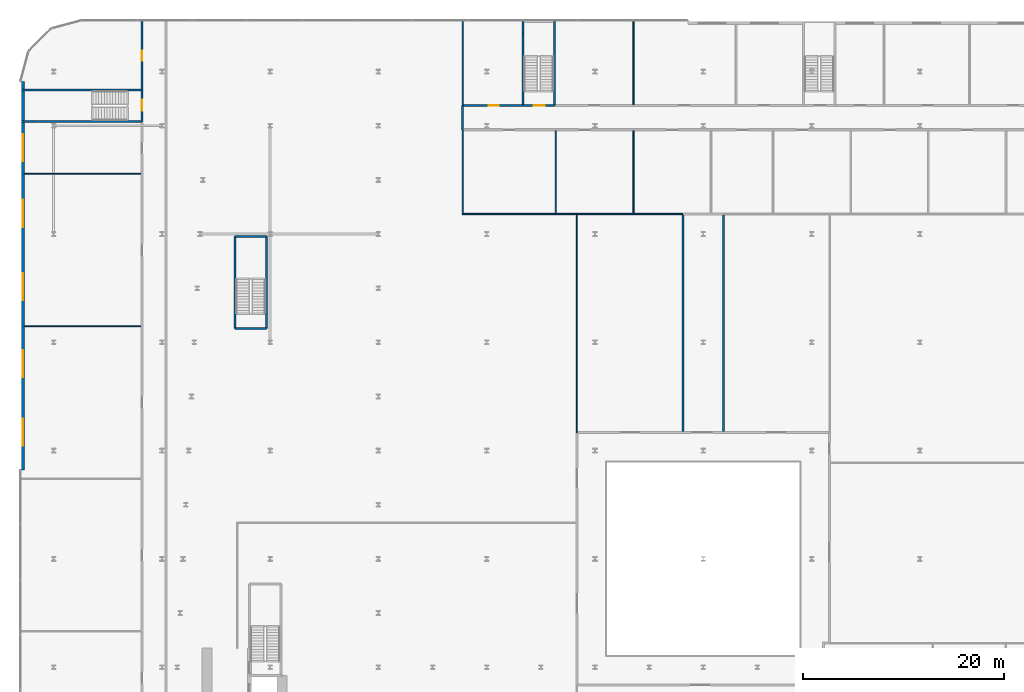
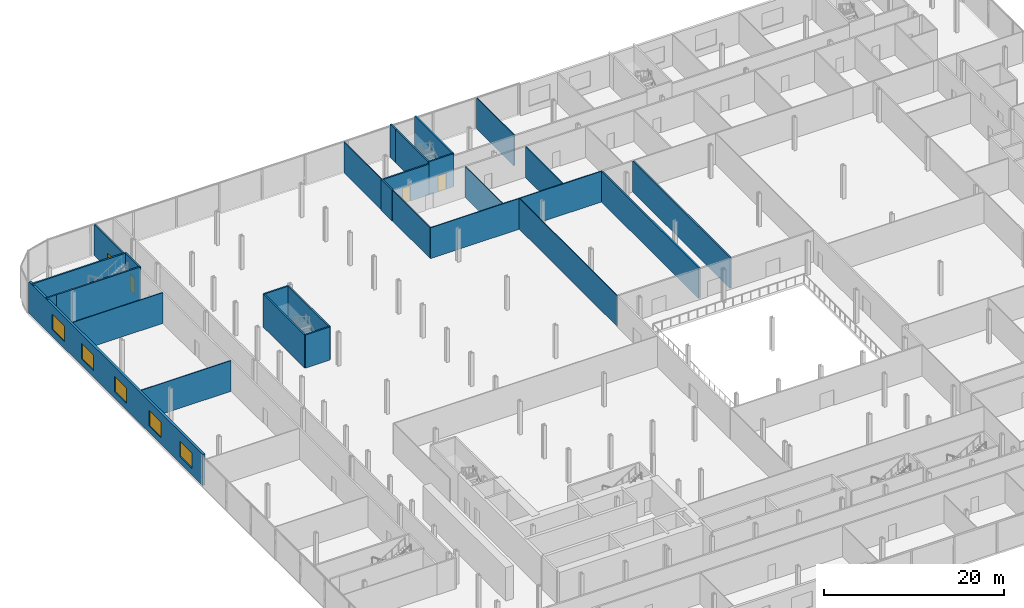
# One storey, part 34 of 47: 27 walls, 5 windows, 4 doors, 9 openings.
"""IFC4 building model written with IfcOpenShell, lengths in metres."""

from ifc_helpers import new_model, si_unit, direction, frame, frame_2d, origin, place, context, subcontext, project, spatial, rectangle, extrude, source, transform, mapped, material, layer, layer_set, type_object, element, fill, save


model = new_model("IFC4")

# Units and contexts
model_context = context("Model", 3, precision=1e-05, world=origin(), true_north=direction((0.0, 1.0)))
body_context = subcontext(model_context, "Body", "Model", "MODEL_VIEW")
ifc_project = project(units=[si_unit("LENGTHUNIT", "METRE"), si_unit("AREAUNIT", "SQUARE_METRE"), si_unit("VOLUMEUNIT", "CUBIC_METRE"), si_unit("PLANEANGLEUNIT", "RADIAN"), si_unit("MASSUNIT", "GRAM", prefix="KILO")], contexts=[model_context])

# Site, building, storey
site_placement = place(None, origin())
site = spatial("IfcSite", under=ifc_project, at=site_placement, CompositionType="ELEMENT")
building_placement = place(site_placement, origin())
building = spatial("IfcBuilding", under=site, at=building_placement, Name="Kheshtan School and Residences Tower", CompositionType="ELEMENT")
storey_placement = place(building_placement, frame((0.0, 0.0, 21.5)))
storey = spatial("IfcBuildingStorey", under=building, at=storey_placement, Name="L04", CompositionType="ELEMENT", Elevation=21.5)

# Walls
ifc_material_1 = material(Name="Gypsum board on steel studs with mineral wool", Category="steel")
ifc_layer_1 = layer(ifc_material_1, 0.125)
ifc_layer_set_1 = layer_set([ifc_layer_1], Name="Acoustic partition 125")
wall_type_1 = type_object("IfcWallType", Name="Acoustic partition 125", PredefinedType="PARTITIONING", material=ifc_layer_set_1)
wall_1_placement = place(storey_placement, frame((55.93798828125, 90.800048828125, 0.0), z_axis=(0.0, 0.0, 1.0), x_axis=(1.0, 0.0, 0.0)))
element("IfcWall", 1, at=wall_1_placement, inside=storey, type_object=wall_type_1, Name="Partition L04-020", PredefinedType="PARTITIONING", context=body_context, shape_type="SweptSolid", body=[
    extrude(rectangle(XDim=22.06201171875, YDim=0.125, at=frame_2d((11.031005859375, 0.0))), origin(), (0.0, 0.0, 1.0), 4.179931640625),
])
wall_2_placement = place(storey_placement, frame((56.0, 90.862060546875, 0.0), z_axis=(0.0, 0.0, 1.0), x_axis=(0.0, 1.0, 0.0)))
element("IfcWall", 2, at=wall_2_placement, inside=storey, type_object=wall_type_1, Name="Partition L04-021", PredefinedType="PARTITIONING", context=body_context, shape_type="SweptSolid", body=[
    extrude(rectangle(XDim=8.337890625, YDim=0.125, at=frame_2d((4.1689453125, 0.0))), origin(), (0.0, 0.0, 1.0), 4.179931640625),
])
wall_3_placement = place(storey_placement, frame((56.0, 101.60009765625, 0.0), z_axis=(0.0, 0.0, 1.0), x_axis=(0.0, 1.0, 0.0)))
element("IfcWall", 3, at=wall_3_placement, inside=storey, type_object=wall_type_1, Name="Partition L04-023", PredefinedType="PARTITIONING", context=body_context, shape_type="SweptSolid", body=[
    extrude(rectangle(XDim=8.39990234375, YDim=0.125, at=frame_2d((4.199951171875, 0.0))), origin(), (0.0, 0.0, 1.0), 4.179931640625),
])
for number, where, z_axis, x_axis, name in (
    (4, (65.2890625, 90.862060546875, 0.0), (0.0, 0.0, 1.0), (0.0, 1.0, 0.0), "Partition L04-027"),
    (5, (73.029052734375, 90.862060546875, 0.0), (0.0, 0.0, 1.0), (0.0, 1.0, 0.0), "Partition L04-034"),
):
    element("IfcWall", number, at=place(storey_placement, frame(where, z_axis=z_axis, x_axis=x_axis)), inside=storey, type_object=wall_type_1, Name=name, PredefinedType="PARTITIONING", context=body_context, shape_type="SweptSolid", body=[
        extrude(rectangle(XDim=8.238037109375, YDim=0.125, at=frame_2d((4.119140625, 0.0))), origin(), (0.0, 0.0, 1.0), 4.179931640625),
    ])
wall_4_placement = place(storey_placement, frame((73.0419921875, 101.699951171875, 0.0), z_axis=(0.0, 0.0, 1.0), x_axis=(0.0, 1.0, 0.0)))
element("IfcWall", 6, at=wall_4_placement, inside=storey, type_object=wall_type_1, Name="Partition L04-035", PredefinedType="PARTITIONING", context=body_context, shape_type="SweptSolid", body=[
    extrude(rectangle(XDim=8.300048828125, YDim=0.125, at=frame_2d((4.14990234375, 0.0))), origin(), (0.0, 0.0, 1.0), 4.179931640625),
])

# Wall, opening, door
ifc_material_2 = material(Name="Gypsum board on steel studs with fire boards", Category="steel")
ifc_layer_2 = layer(ifc_material_2, 0.199951171875)
ifc_layer_set_2 = layer_set([ifc_layer_2], Name="Corridor wall 200")
wall_type_2 = type_object("IfcWallType", Name="Corridor wall 200", PredefinedType="PARTITIONING", material=ifc_layer_set_2)
wall_5_placement = place(storey_placement, frame((24.0, 103.14990234375, 0.0), z_axis=(0.0, 0.0, 1.0), x_axis=(0.0, 1.0, 0.0)))
wall_5 = element("IfcWall", 7, at=wall_5_placement, inside=storey, type_object=wall_type_2, Name="Partition L04-013", PredefinedType="PARTITIONING", context=body_context, shape_type="SweptSolid", body=[
    extrude(rectangle(XDim=6.85009765625, YDim=0.199951171875, at=frame_2d((3.425048828125, 0.0))), origin(), (0.0, 0.0, 1.0), 4.179931640625),
])
opening_1_placement = place(wall_5_placement, frame((2.949951171875, 0.0, 0.0)))
opening_1 = element("IfcOpeningElement", 8, at=opening_1_placement, cuts=wall_5, Name="Opening D04-058", PredefinedType="OPENING", context=body_context, shape_type="SweptSolid", body=[
    extrude(rectangle(XDim=1.0, YDim=2.10009765625, at=frame_2d((0.5, 1.050048828125))), frame((0.0, 0.10986328125, 0.0), z_axis=(0.0, -1.0, 0.0), x_axis=(1.0, 0.0, 0.0)), (0.0, 0.0, 1.0), 0.219970703125),
])
ifc_material_3 = material(Name="Steel-framed fire-resisting door leaf", Category="steel")
door_type_1 = type_object("IfcDoorType", Name="Fire door FD60 1000 x 2100", OperationType="SINGLE_SWING_LEFT", PredefinedType="DOOR", material=ifc_material_3)
shared_shape_1 = source(origin(), body_context, "Body", "SweptSolid", [
    extrude(rectangle(XDim=1.0, YDim=2.10009765625, at=frame_2d((0.5, 1.050048828125))), frame((0.0, 0.02490234375, 0.0), z_axis=(0.0, -1.0, 0.0), x_axis=(1.0, 0.0, 0.0)), (0.0, 0.0, 1.0), 0.050048828125),
])
door_1_placement = place(opening_1_placement, origin())
door_1 = element("IfcDoor", 9, at=door_1_placement, inside=storey, type_object=door_type_1, Name="Door D04-058", OperationType="SINGLE_SWING_RIGHT", OverallHeight=2.10009765625, OverallWidth=1.0, PredefinedType="DOOR", context=body_context, shape_type="MappedRepresentation", body=[
    mapped(shared_shape_1, transform((0.0, 0.0, 0.0), x_axis=(1.0, 0.0, 0.0), y_axis=(0.0, 1.0, 0.0), z_axis=(0.0, 0.0, 1.0), scale=1.0)),
])
fill(opening_1, door_1)

# Wall
wall_6_placement = place(storey_placement, frame((56.0, 99.199951171875, 0.0), z_axis=(0.0, 0.0, 1.0), x_axis=(0.0, 1.0, 0.0)))
element("IfcWall", 10, at=wall_6_placement, inside=storey, type_object=wall_type_2, Name="Partition L04-022", PredefinedType="PARTITIONING", context=body_context, shape_type="SweptSolid", body=[
    extrude(rectangle(XDim=2.400146484375, YDim=0.199951171875, at=frame_2d((1.2001953125, 0.0))), origin(), (0.0, 0.0, 1.0), 4.179931640625),
])

# Wall, opening, door
wall_7_placement = place(storey_placement, frame((56.10009765625, 101.60009765625, 0.0), z_axis=(0.0, 0.0, 1.0), x_axis=(1.0, 0.0, 0.0)))
wall_7 = element("IfcWall", 11, at=wall_7_placement, inside=storey, type_object=wall_type_2, Name="Partition L04-025", PredefinedType="PARTITIONING", context=body_context, shape_type="SweptSolid", body=[
    extrude(rectangle(XDim=5.89990234375, YDim=0.199951171875, at=frame_2d((2.949951171875, 0.0))), origin(), (0.0, 0.0, 1.0), 4.179931640625),
])
opening_2_placement = place(wall_7_placement, frame((2.5, 0.0, 0.0)))
opening_2 = element("IfcOpeningElement", 12, at=opening_2_placement, cuts=wall_7, Name="Opening D04-024", PredefinedType="OPENING", context=body_context, shape_type="SweptSolid", body=[
    extrude(rectangle(XDim=1.0, YDim=2.10009765625, at=frame_2d((0.5, 1.050048828125))), frame((0.0, 0.10986328125, 0.0), z_axis=(0.0, -1.0, 0.0), x_axis=(1.0, 0.0, 0.0)), (0.0, 0.0, 1.0), 0.219970703125),
])
door_2_placement = place(opening_2_placement, origin())
door_2 = element("IfcDoor", 13, at=door_2_placement, inside=storey, type_object=door_type_1, Name="Door D04-024", OperationType="SINGLE_SWING_LEFT", OverallHeight=2.10009765625, OverallWidth=1.0, PredefinedType="DOOR", context=body_context, shape_type="MappedRepresentation", body=[
    mapped(shared_shape_1, transform((0.0, 0.0, 0.0), x_axis=(1.0, 0.0, 0.0), y_axis=(0.0, 1.0, 0.0), z_axis=(0.0, 0.0, 1.0), scale=1.0)),
])
fill(opening_2, door_2)

# Walls
for number, where, z_axis, x_axis, name in (
    (14, (78.0, 69.10009765625, 0.0), (0.0, 0.0, 1.0), (0.0, 1.0, 0.0), "Partition L04-036"),
    (15, (82.0, 69.10009765625, 0.0), (0.0, 0.0, 1.0), (0.0, 1.0, 0.0), "Partition L04-040"),
):
    element("IfcWall", number, at=place(storey_placement, frame(where, z_axis=z_axis, x_axis=x_axis)), inside=storey, type_object=wall_type_2, Name=name, PredefinedType="PARTITIONING", context=body_context, shape_type="SweptSolid", body=[
        extrude(rectangle(XDim=21.599853515625, YDim=0.199951171875, at=frame_2d((10.7998046875, 0.0))), origin(), (0.0, 0.0, 1.0), 4.179931640625),
    ])
ifc_material_4 = material(Name="Gypsum board on steel studs", Category="steel")
ifc_layer_3 = layer(ifc_material_4, 0.10009765625)
ifc_layer_set_3 = layer_set([ifc_layer_3], Name="Gypsum partition 100")
wall_type_3 = type_object("IfcWallType", Name="Gypsum partition 100", PredefinedType="PARTITIONING", material=ifc_layer_set_3)
for number, where, z_axis, x_axis, name in (
    (16, (12.299072265625, 79.60009765625, 0.0), (0.0, 0.0, 1.0), (1.0, 0.0, 0.0), "Partition L04-006"),
    (17, (12.299072265625, 94.800048828125, 0.0), (0.0, 0.0, 1.0), (1.0, 0.0, 0.0), "Partition L04-007"),
):
    element("IfcWall", number, at=place(storey_placement, frame(where, z_axis=z_axis, x_axis=x_axis)), inside=storey, type_object=wall_type_3, Name=name, PredefinedType="PARTITIONING", context=body_context, shape_type="SweptSolid", body=[
        extrude(rectangle(XDim=11.600830078125, YDim=0.10009765625, at=frame_2d((5.80029296875, 0.0))), origin(), (0.0, 0.0, 1.0), 4.179931640625),
    ])
wall_8_placement = place(storey_placement, frame((67.39990234375, 69.0, 0.0), z_axis=(0.0, 0.0, 1.0), x_axis=(0.0, 1.0, 0.0)))
element("IfcWall", 18, at=wall_8_placement, inside=storey, type_object=wall_type_3, Name="Partition L04-031", PredefinedType="PARTITIONING", context=body_context, shape_type="SweptSolid", body=[
    extrude(rectangle(XDim=21.738037109375, YDim=0.10009765625, at=frame_2d((10.869140625, 0.0))), origin(), (0.0, 0.0, 1.0), 4.179931640625),
])

# Wall, openings, windows
ifc_material_5 = material(Name="Concrete C40/50 with ceramic cladding and mineral wool insulation", Category="concrete")
ifc_layer_4 = layer(ifc_material_5, 0.300048828125)
ifc_layer_set_4 = layer_set([ifc_layer_4], Name="Podium external wall 300")
wall_type_4 = type_object("IfcWallType", Name="Podium external wall 300", PredefinedType="SOLIDWALL", material=ifc_layer_set_4)
wall_9_placement = place(storey_placement, frame((12.14990234375, 65.280029296875, 0.0), z_axis=(0.0, 0.0, 1.0), x_axis=(0.0, 1.0, 0.0)))
wall_9 = element("IfcWall", 19, at=wall_9_placement, inside=storey, type_object=wall_type_4, Name="Podium external wall L04 16.1", PredefinedType="SOLIDWALL", context=body_context, shape_type="SweptSolid", body=[
    extrude(rectangle(XDim=38.719970703125, YDim=0.300048828125, at=frame_2d((19.35986328125, 0.0))), origin(), (0.0, 0.0, 1.0), 4.25),
])
opening_3_placement = place(wall_9_placement, frame((2.3798828125, 0.0, 0.89990234375)))
opening_3 = element("IfcOpeningElement", 20, at=opening_3_placement, cuts=wall_9, Name="Opening WN-D", PredefinedType="OPENING", context=body_context, shape_type="SweptSolid", body=[
    extrude(rectangle(XDim=2.699951171875, YDim=2.10009765625, at=frame_2d((1.35009765625, 1.050048828125))), frame((0.0, 0.16015625, 0.0), z_axis=(0.0, -1.0, 0.0), x_axis=(1.0, 0.0, 0.0)), (0.0, 0.0, 1.0), 0.320068359375),
])
opening_4_placement = place(wall_9_placement, frame((9.239990234375, 0.0, 0.89990234375)))
opening_4 = element("IfcOpeningElement", 21, at=opening_4_placement, cuts=wall_9, Name="Opening WN-D", PredefinedType="OPENING", context=body_context, shape_type="SweptSolid", body=[
    extrude(rectangle(XDim=2.699951171875, YDim=2.10009765625, at=frame_2d((1.35009765625, 1.050048828125))), frame((0.0, 0.16015625, 0.0), z_axis=(0.0, -1.0, 0.0), x_axis=(1.0, 0.0, 0.0)), (0.0, 0.0, 1.0), 0.320068359375),
])
opening_5_placement = place(wall_9_placement, frame((16.919921875, 0.0, 0.89990234375)))
opening_5 = element("IfcOpeningElement", 22, at=opening_5_placement, cuts=wall_9, Name="Opening WN-D", PredefinedType="OPENING", context=body_context, shape_type="SweptSolid", body=[
    extrude(rectangle(XDim=2.699951171875, YDim=2.10009765625, at=frame_2d((1.35009765625, 1.050048828125))), frame((0.0, 0.16015625, 0.0), z_axis=(0.0, -1.0, 0.0), x_axis=(1.0, 0.0, 0.0)), (0.0, 0.0, 1.0), 0.320068359375),
])
opening_6_placement = place(wall_9_placement, frame((24.219970703125, 0.0, 0.89990234375)))
opening_6 = element("IfcOpeningElement", 23, at=opening_6_placement, cuts=wall_9, Name="Opening WN-D", PredefinedType="OPENING", context=body_context, shape_type="SweptSolid", body=[
    extrude(rectangle(XDim=2.699951171875, YDim=2.10009765625, at=frame_2d((1.35009765625, 1.050048828125))), frame((0.0, 0.16015625, 0.0), z_axis=(0.0, -1.0, 0.0), x_axis=(1.0, 0.0, 0.0)), (0.0, 0.0, 1.0), 0.320068359375),
])
opening_7_placement = place(wall_9_placement, frame((30.77001953125, 0.0, 0.89990234375)))
opening_7 = element("IfcOpeningElement", 24, at=opening_7_placement, cuts=wall_9, Name="Opening WN-D", PredefinedType="OPENING", context=body_context, shape_type="SweptSolid", body=[
    extrude(rectangle(XDim=2.699951171875, YDim=2.10009765625, at=frame_2d((1.35009765625, 1.050048828125))), frame((0.0, 0.16015625, 0.0), z_axis=(0.0, -1.0, 0.0), x_axis=(1.0, 0.0, 0.0)), (0.0, 0.0, 1.0), 0.320068359375),
])
ifc_material_6 = material(Name="Clear low-e glass in thermally broken aluminium frame", Category="aluminium")
window_type = type_object("IfcWindowType", Name="Window WN-D", PartitioningType="SINGLE_PANEL", PredefinedType="WINDOW", material=ifc_material_6)
shared_shape_2 = source(origin(), body_context, "Body", "SweptSolid", [
    extrude(rectangle(XDim=2.699951171875, YDim=2.10009765625, at=frame_2d((1.35009765625, 1.050048828125))), frame((0.0, 0.030029296875, 0.0), z_axis=(0.0, -1.0, 0.0), x_axis=(1.0, 0.0, 0.0)), (0.0, 0.0, 1.0), 0.06005859375),
])
window_1_placement = place(opening_3_placement, origin())
window_1 = element("IfcWindow", 25, at=window_1_placement, inside=storey, type_object=window_type, Name="Window L04 16.1.1", OverallHeight=2.10009765625, OverallWidth=2.699951171875, PartitioningType="SINGLE_PANEL", PredefinedType="WINDOW", context=body_context, shape_type="MappedRepresentation", body=[
    mapped(shared_shape_2, transform((0.0, 0.0, 0.0), x_axis=(1.0, 0.0, 0.0), y_axis=(0.0, 1.0, 0.0), z_axis=(0.0, 0.0, 1.0), scale=1.0)),
])
fill(opening_3, window_1)
window_2_placement = place(opening_4_placement, origin())
window_2 = element("IfcWindow", 26, at=window_2_placement, inside=storey, type_object=window_type, Name="Window L04 16.1.2", OverallHeight=2.10009765625, OverallWidth=2.699951171875, PartitioningType="SINGLE_PANEL", PredefinedType="WINDOW", context=body_context, shape_type="MappedRepresentation", body=[
    mapped(shared_shape_2, transform((0.0, 0.0, 0.0), x_axis=(1.0, 0.0, 0.0), y_axis=(0.0, 1.0, 0.0), z_axis=(0.0, 0.0, 1.0), scale=1.0)),
])
fill(opening_4, window_2)
window_3_placement = place(opening_5_placement, origin())
window_3 = element("IfcWindow", 27, at=window_3_placement, inside=storey, type_object=window_type, Name="Window L04 16.1.3", OverallHeight=2.10009765625, OverallWidth=2.699951171875, PartitioningType="SINGLE_PANEL", PredefinedType="WINDOW", context=body_context, shape_type="MappedRepresentation", body=[
    mapped(shared_shape_2, transform((0.0, 0.0, 0.0), x_axis=(1.0, 0.0, 0.0), y_axis=(0.0, 1.0, 0.0), z_axis=(0.0, 0.0, 1.0), scale=1.0)),
])
fill(opening_5, window_3)
window_4_placement = place(opening_6_placement, origin())
window_4 = element("IfcWindow", 28, at=window_4_placement, inside=storey, type_object=window_type, Name="Window L04 16.1.4", OverallHeight=2.10009765625, OverallWidth=2.699951171875, PartitioningType="SINGLE_PANEL", PredefinedType="WINDOW", context=body_context, shape_type="MappedRepresentation", body=[
    mapped(shared_shape_2, transform((0.0, 0.0, 0.0), x_axis=(1.0, 0.0, 0.0), y_axis=(0.0, 1.0, 0.0), z_axis=(0.0, 0.0, 1.0), scale=1.0)),
])
fill(opening_6, window_4)
window_5_placement = place(opening_7_placement, origin())
window_5 = element("IfcWindow", 29, at=window_5_placement, inside=storey, type_object=window_type, Name="Window L04 16.1.5", OverallHeight=2.10009765625, OverallWidth=2.699951171875, PartitioningType="SINGLE_PANEL", PredefinedType="WINDOW", context=body_context, shape_type="MappedRepresentation", body=[
    mapped(shared_shape_2, transform((0.0, 0.0, 0.0), x_axis=(1.0, 0.0, 0.0), y_axis=(0.0, 1.0, 0.0), z_axis=(0.0, 0.0, 1.0), scale=1.0)),
])
fill(opening_7, window_5)

# Walls
ifc_material_7 = material(Name="Concrete C40/50", Category="concrete")
ifc_layer_5 = layer(ifc_material_7, 0.199951171875)
ifc_layer_set_5 = layer_set([ifc_layer_5], Name="Stair enclosure wall 200 Concrete C40/50")
wall_type_5 = type_object("IfcWallType", Name="Stair enclosure wall 200 Concrete C40/50", PredefinedType="SHEAR", material=ifc_layer_set_5)
for number, where, z_axis, x_axis, name in (
    (30, (33.300048828125, 79.39990234375, 0.0), (0.0, 0.0, 1.0), (1.0, 0.0, 0.0), "Stair enclosure wall ST3"),
    (31, (33.300048828125, 88.56005859375, 0.0), (0.0, 0.0, 1.0), (1.0, 0.0, 0.0), "Stair enclosure wall ST3"),
):
    element("IfcWall", number, at=place(storey_placement, frame(where, z_axis=z_axis, x_axis=x_axis)), inside=storey, type_object=wall_type_5, Name=name, PredefinedType="SHEAR", context=body_context, shape_type="SweptSolid", body=[
        extrude(rectangle(XDim=3.14990234375, YDim=0.199951171875, at=frame_2d((1.574951171875, 0.0))), origin(), (0.0, 0.0, 1.0), 4.5),
    ])
for number, where, z_axis, x_axis, name in (
    (32, (33.300048828125, 79.39990234375, 0.0), (0.0, 0.0, 1.0), (0.0, 1.0, 0.0), "Stair enclosure wall ST3"),
    (33, (36.449951171875, 79.39990234375, 0.0), (0.0, 0.0, 1.0), (0.0, 1.0, 0.0), "Stair enclosure wall ST3"),
):
    element("IfcWall", number, at=place(storey_placement, frame(where, z_axis=z_axis, x_axis=x_axis)), inside=storey, type_object=wall_type_5, Name=name, PredefinedType="SHEAR", context=body_context, shape_type="SweptSolid", body=[
        extrude(rectangle(XDim=9.16015625, YDim=0.199951171875, at=frame_2d((4.580078125, 0.0))), origin(), (0.0, 0.0, 1.0), 4.5),
    ])

# Wall, opening, door
wall_10_placement = place(storey_placement, frame((62.0, 101.60009765625, 0.0), z_axis=(0.0, 0.0, 1.0), x_axis=(1.0, 0.0, 0.0)))
wall_10 = element("IfcWall", 34, at=wall_10_placement, inside=storey, type_object=wall_type_5, Name="Stair enclosure wall", PredefinedType="SHEAR", context=body_context, shape_type="SweptSolid", body=[
    extrude(rectangle(XDim=3.14990234375, YDim=0.199951171875, at=frame_2d((1.574951171875, 0.0))), origin(), (0.0, 0.0, 1.0), 4.5),
])
opening_8_placement = place(wall_10_placement, frame((1.10009765625, 0.0, 0.0)))
opening_8 = element("IfcOpeningElement", 35, at=opening_8_placement, cuts=wall_10, Name="Opening SD90", PredefinedType="OPENING", context=body_context, shape_type="SweptSolid", body=[
    extrude(rectangle(XDim=1.10009765625, YDim=2.199951171875, at=frame_2d((0.550048828125, 1.10009765625))), frame((0.0, 0.10986328125, 0.0), z_axis=(0.0, -1.0, 0.0), x_axis=(1.0, 0.0, 0.0)), (0.0, 0.0, 1.0), 0.219970703125),
])
ifc_material_8 = material(Name="Steel door leaf, galvanised", Category="steel")
door_type_2 = type_object("IfcDoorType", Name="Stair door 1100 steel 90 min", OperationType="SINGLE_SWING_LEFT", PredefinedType="DOOR", material=ifc_material_8)
shared_shape_3 = source(origin(), body_context, "Body", "SweptSolid", [
    extrude(rectangle(XDim=1.10009765625, YDim=2.199951171875, at=frame_2d((0.550048828125, 1.10009765625))), frame((0.0, 0.02490234375, 0.0), z_axis=(0.0, -1.0, 0.0), x_axis=(1.0, 0.0, 0.0)), (0.0, 0.0, 1.0), 0.050048828125),
])
door_3_placement = place(opening_8_placement, origin())
door_3 = element("IfcDoor", 36, at=door_3_placement, inside=storey, type_object=door_type_2, Name="Stair door", OperationType="SINGLE_SWING_RIGHT", OverallHeight=2.199951171875, OverallWidth=1.10009765625, PredefinedType="DOOR", context=body_context, shape_type="MappedRepresentation", body=[
    mapped(shared_shape_3, transform((0.0, 0.0, 0.0), x_axis=(1.0, 0.0, 0.0), y_axis=(0.0, 1.0, 0.0), z_axis=(0.0, 0.0, 1.0), scale=1.0)),
])
fill(opening_8, door_3)

# Walls
wall_11_placement = place(storey_placement, frame((62.0, 101.60009765625, 0.0), z_axis=(0.0, 0.0, 1.0), x_axis=(0.0, 1.0, 0.0)))
element("IfcWall", 37, at=wall_11_placement, inside=storey, type_object=wall_type_5, Name="Stair enclosure wall", PredefinedType="SHEAR", context=body_context, shape_type="SweptSolid", body=[
    extrude(rectangle(XDim=7.199951171875, YDim=0.199951171875, at=frame_2d((3.60009765625, 0.0))), origin(), (0.0, 0.0, 1.0), 4.5),
])
wall_12_placement = place(storey_placement, frame((62.0, 108.800048828125, 0.0), z_axis=(0.0, 0.0, 1.0), x_axis=(0.0, 1.0, 0.0)))
element("IfcWall", 38, at=wall_12_placement, inside=storey, type_object=wall_type_5, Name="Stair enclosure wall", PredefinedType="SHEAR", context=body_context, shape_type="SweptSolid", body=[
    extrude(rectangle(XDim=1.199951171875, YDim=0.199951171875, at=frame_2d((0.60009765625, 0.0))), origin(), (0.0, 0.0, 1.0), 4.5),
])
wall_13_placement = place(storey_placement, frame((65.14990234375, 101.60009765625, 0.0), z_axis=(0.0, 0.0, 1.0), x_axis=(0.0, 1.0, 0.0)))
element("IfcWall", 39, at=wall_13_placement, inside=storey, type_object=wall_type_5, Name="Stair enclosure wall", PredefinedType="SHEAR", context=body_context, shape_type="SweptSolid", body=[
    extrude(rectangle(XDim=8.39990234375, YDim=0.199951171875, at=frame_2d((4.199951171875, 0.0))), origin(), (0.0, 0.0, 1.0), 4.5),
])
wall_14_placement = place(storey_placement, frame((12.0, 100.0, 0.0), z_axis=(0.0, 0.0, 1.0), x_axis=(1.0, 0.0, 0.0)))
element("IfcWall", 40, at=wall_14_placement, inside=storey, type_object=wall_type_5, Name="Stair enclosure wall", PredefinedType="SHEAR", context=body_context, shape_type="SweptSolid", body=[
    extrude(rectangle(XDim=1.199951171875, YDim=0.199951171875, at=frame_2d((0.60009765625, 0.0))), origin(), (0.0, 0.0, 1.0), 4.5),
])
wall_15_placement = place(storey_placement, frame((13.199951171875, 100.0, 0.0), z_axis=(0.0, 0.0, 1.0), x_axis=(1.0, 0.0, 0.0)))
element("IfcWall", 41, at=wall_15_placement, inside=storey, type_object=wall_type_5, Name="Stair enclosure wall", PredefinedType="SHEAR", context=body_context, shape_type="SweptSolid", body=[
    extrude(rectangle(XDim=10.800048828125, YDim=0.199951171875, at=frame_2d((5.39990234375, 0.0))), origin(), (0.0, 0.0, 1.0), 4.5),
])
wall_16_placement = place(storey_placement, frame((12.0, 103.14990234375, 0.0), z_axis=(0.0, 0.0, 1.0), x_axis=(1.0, 0.0, 0.0)))
element("IfcWall", 42, at=wall_16_placement, inside=storey, type_object=wall_type_5, Name="Stair enclosure wall", PredefinedType="SHEAR", context=body_context, shape_type="SweptSolid", body=[
    extrude(rectangle(XDim=12.0, YDim=0.199951171875, at=frame_2d((6.0, 0.0))), origin(), (0.0, 0.0, 1.0), 4.5),
])

# Wall, opening, door
wall_17_placement = place(storey_placement, frame((24.0, 100.0, 0.0), z_axis=(0.0, 0.0, 1.0), x_axis=(0.0, 1.0, 0.0)))
wall_17 = element("IfcWall", 43, at=wall_17_placement, inside=storey, type_object=wall_type_5, Name="Stair enclosure wall", PredefinedType="SHEAR", context=body_context, shape_type="SweptSolid", body=[
    extrude(rectangle(XDim=3.14990234375, YDim=0.199951171875, at=frame_2d((1.574951171875, 0.0))), origin(), (0.0, 0.0, 1.0), 4.5),
])
opening_9_placement = place(wall_17_placement, frame((1.10009765625, 0.0, 0.0)))
opening_9 = element("IfcOpeningElement", 44, at=opening_9_placement, cuts=wall_17, Name="Opening SD90", PredefinedType="OPENING", context=body_context, shape_type="SweptSolid", body=[
    extrude(rectangle(XDim=1.10009765625, YDim=2.199951171875, at=frame_2d((0.550048828125, 1.10009765625))), frame((0.0, 0.10986328125, 0.0), z_axis=(0.0, -1.0, 0.0), x_axis=(1.0, 0.0, 0.0)), (0.0, 0.0, 1.0), 0.219970703125),
])
door_4_placement = place(opening_9_placement, origin())
door_4 = element("IfcDoor", 45, at=door_4_placement, inside=storey, type_object=door_type_2, Name="Stair door", OperationType="SINGLE_SWING_RIGHT", OverallHeight=2.199951171875, OverallWidth=1.10009765625, PredefinedType="DOOR", context=body_context, shape_type="MappedRepresentation", body=[
    mapped(shared_shape_3, transform((0.0, 0.0, 0.0), x_axis=(1.0, 0.0, 0.0), y_axis=(0.0, 1.0, 0.0), z_axis=(0.0, 0.0, 1.0), scale=1.0)),
])
fill(opening_9, door_4)

save(model, "model.ifc")
